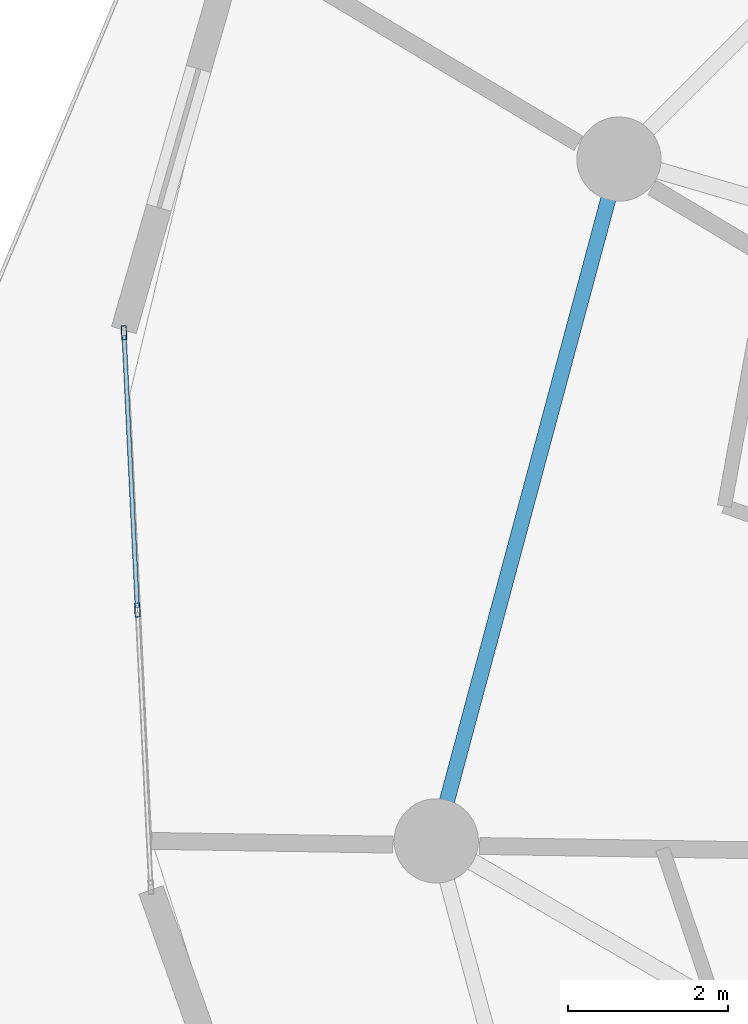
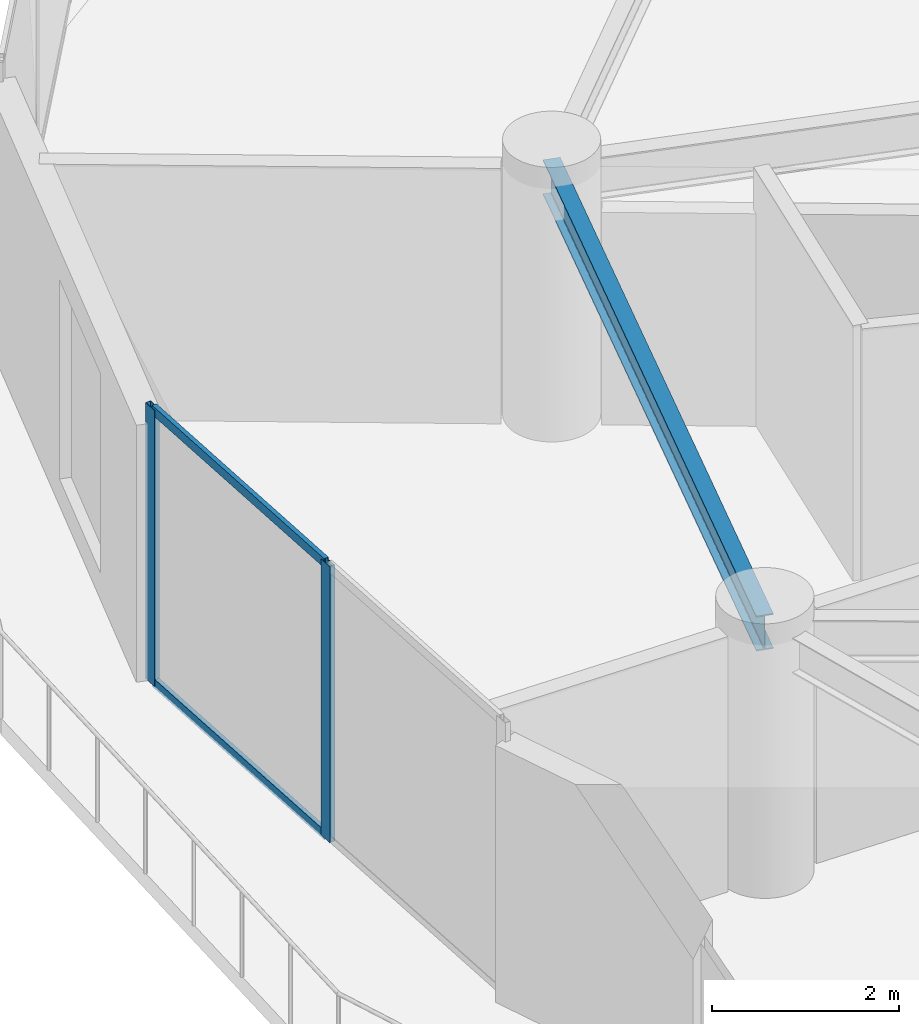
# One storey, part 6 of 22: 4 members, 1 beam, 1 element without a shape of its own.
"""IFC4 building model written with IfcOpenShell, lengths in metres."""

from ifc_helpers import new_model, si_unit, direction, frame, origin, origin_2d, place, context, subcontext, project, spatial, hollow_rectangle, i_section, extrude, source, transform, mapped, material, layer, layer_set, material_profile, profile_set, type_object, element, aggregate, save


model = new_model("IFC4")

# Units and contexts
model_context = context("Model", 3, precision=1e-05, world=origin(), true_north=direction((0.0, 1.0)))
body_context = subcontext(model_context, "Body", "Model", "MODEL_VIEW")
ifc_project = project(units=[si_unit("LENGTHUNIT", "METRE"), si_unit("AREAUNIT", "SQUARE_METRE"), si_unit("VOLUMEUNIT", "CUBIC_METRE"), si_unit("PLANEANGLEUNIT", "RADIAN"), si_unit("MASSUNIT", "GRAM", prefix="KILO")], contexts=[model_context])

# Site, building, storey
site_placement = place(None, origin())
site = spatial("IfcSite", under=ifc_project, at=site_placement, CompositionType="ELEMENT")
building_placement = place(site_placement, origin())
building = spatial("IfcBuilding", under=site, at=building_placement, Name="Solvirekh Grand Hotel", CompositionType="ELEMENT")
storey_placement = place(building_placement, frame((0.0, 0.0, 153.0)))
storey = spatial("IfcBuildingStorey", under=building, at=storey_placement, Name="L39", CompositionType="ELEMENT", Elevation=153.0)

# Beam
ifc_material_1 = material(Name="Steel S355", Category="steel")
ifc_material_profile_1 = material_profile(ifc_material_1, i_section(OverallWidth=0.18994140625, OverallDepth=0.45703125, WebThickness=0.009033203125, FlangeThickness=0.013916015625, FilletRadius=0.012939453125, at=origin_2d()), Name="W460X74")
ifc_profile_set_1 = profile_set([ifc_material_profile_1], Name="Steel S355")
beam_type = type_object("IfcBeamType", Name="Spandrel_Ring_W460", PredefinedType="SPANDREL", material=ifc_profile_set_1)
beam_placement = place(storey_placement, frame((-14.721923828125, 8.5, 3.12109375), z_axis=(-0.258872908946, -0.965911391906, 0.0), x_axis=(0.965911391906, -0.258872908946, 0.0)))
element("IfcBeam", 1, at=beam_placement, inside=storey, type_object=beam_type, Name="L39 perimeter spandrel beam 6", PredefinedType="SPANDREL", context=body_context, shape_type="SweptSolid", body=[
    extrude(i_section(OverallWidth=0.18994140625, OverallDepth=0.45703125, WebThickness=0.009033203125, FlangeThickness=0.013916015625, FilletRadius=0.012939453125, at=origin_2d()), origin(), (0.0, 0.0, 1.0), 8.800048828125),
])

# Curtain wall, members
ifc_material_2 = material(Name="Anodized Bronze Aluminium 6063-T6", Category="aluminium")
ifc_layer = layer(ifc_material_2, 0.175048828125)
ifc_layer_set = layer_set([ifc_layer], Name="Anodized Bronze Aluminium 6063-T6")
curtain_wall_type = type_object("IfcCurtainWallType", Name="CW_Sys3_MidZoneFlushBronzeCW", PredefinedType="NOTDEFINED", material=ifc_layer_set)
curtain_wall_placement = place(storey_placement, origin())
curtain_wall = element("IfcCurtainWall", 2, at=curtain_wall_placement, inside=storey, type_object=curtain_wall_type, Name="L39 unitised bronze-glass curtain wall CW-L39-C13", PredefinedType="NOTDEFINED")
ifc_material_profile_2 = material_profile(ifc_material_2, hollow_rectangle(XDim=0.06494140625, YDim=0.175048828125, WallThickness=0.0048828125, at=origin_2d()), Name="ALU RHS 175X65X5")
ifc_profile_set_2 = profile_set([ifc_material_profile_2], Name="Anodized Bronze Aluminium 6063-T6")
member_type_1 = type_object("IfcMemberType", Name="CWMullion_Sys3", PredefinedType="MULLION", material=ifc_profile_set_2)
shared_shape_1 = source(origin(), body_context, "Body", "SweptSolid", [
    extrude(hollow_rectangle(XDim=0.06494140625, YDim=0.175048828125, WallThickness=0.0048828125, at=origin_2d()), origin(), (0.0, 0.0, 1.0), 3.60009765625),
])
member_1_placement = place(storey_placement, frame((-20.893310546875, 6.33642578125, 0.0), z_axis=(0.0, 0.0, 1.0), x_axis=(0.998829947397, 0.048360481624, 0.0)))
member_1 = element("IfcMember", 3, at=member_1_placement, type_object=member_type_1, Name="U03 mullion 1", PredefinedType="MULLION", context=body_context, shape_type="MappedRepresentation", body=[
    mapped(shared_shape_1, transform((0.0, 0.0, 0.0), x_axis=(1.0, 0.0, 0.0), y_axis=(0.0, 1.0, 0.0), z_axis=(0.0, 0.0, 1.0), scale=1.0)),
])
member_2_placement = place(storey_placement, frame((-20.72607421875, 2.87841796875, 0.0), z_axis=(0.0, 0.0, 1.0), x_axis=(0.998829947397, 0.048360481624, 0.0)))
member_2 = element("IfcMember", 4, at=member_2_placement, type_object=member_type_1, Name="U03 mullion 2", PredefinedType="MULLION", context=body_context, shape_type="MappedRepresentation", body=[
    mapped(shared_shape_1, transform((0.0, 0.0, 0.0), x_axis=(1.0, 0.0, 0.0), y_axis=(0.0, 1.0, 0.0), z_axis=(0.0, 0.0, 1.0), scale=1.0)),
])
ifc_material_profile_3 = material_profile(ifc_material_2, hollow_rectangle(XDim=0.054931640625, YDim=0.1201171875, WallThickness=0.00390625, at=origin_2d()), Name="ALU RHS 120X55X4")
ifc_profile_set_3 = profile_set([ifc_material_profile_3], Name="Anodized Bronze Aluminium 6063-T6")
member_type_2 = type_object("IfcMemberType", Name="CWTransom_Sys3", PredefinedType="USERDEFINED", material=ifc_profile_set_3)
shared_shape_2 = source(origin(), body_context, "Body", "SweptSolid", [
    extrude(hollow_rectangle(XDim=0.054931640625, YDim=0.1201171875, WallThickness=0.00390625, at=origin_2d()), origin(), (0.0, 0.0, 1.0), 3.39697265625),
])
member_3_placement = place(storey_placement, frame((-20.891845703125, 6.303955078125, 0.027587890625), z_axis=(0.048367558209, -0.998829604744, 0.0), x_axis=(0.998829604744, 0.048367558209, 0.0)))
member_3 = element("IfcMember", 5, at=member_3_placement, type_object=member_type_2, Name="U03 transom 1.1", ObjectType="TRANSOM", PredefinedType="USERDEFINED", context=body_context, shape_type="MappedRepresentation", body=[
    mapped(shared_shape_2, transform((0.0, 0.0, 0.0), x_axis=(1.0, 0.0, 0.0), y_axis=(0.0, 1.0, 0.0), z_axis=(0.0, 0.0, 1.0), scale=1.0)),
])
member_4_placement = place(storey_placement, frame((-20.891845703125, 6.303955078125, 3.572509765625), z_axis=(0.048367558209, -0.998829604744, 0.0), x_axis=(0.998829604744, 0.048367558209, 0.0)))
member_4 = element("IfcMember", 6, at=member_4_placement, type_object=member_type_2, Name="U03 transom 1.2", ObjectType="TRANSOM", PredefinedType="USERDEFINED", context=body_context, shape_type="MappedRepresentation", body=[
    mapped(shared_shape_2, transform((0.0, 0.0, 0.0), x_axis=(1.0, 0.0, 0.0), y_axis=(0.0, 1.0, 0.0), z_axis=(0.0, 0.0, 1.0), scale=1.0)),
])
aggregate(curtain_wall, [member_1, member_2, member_3, member_4])

save(model, "model.ifc")
